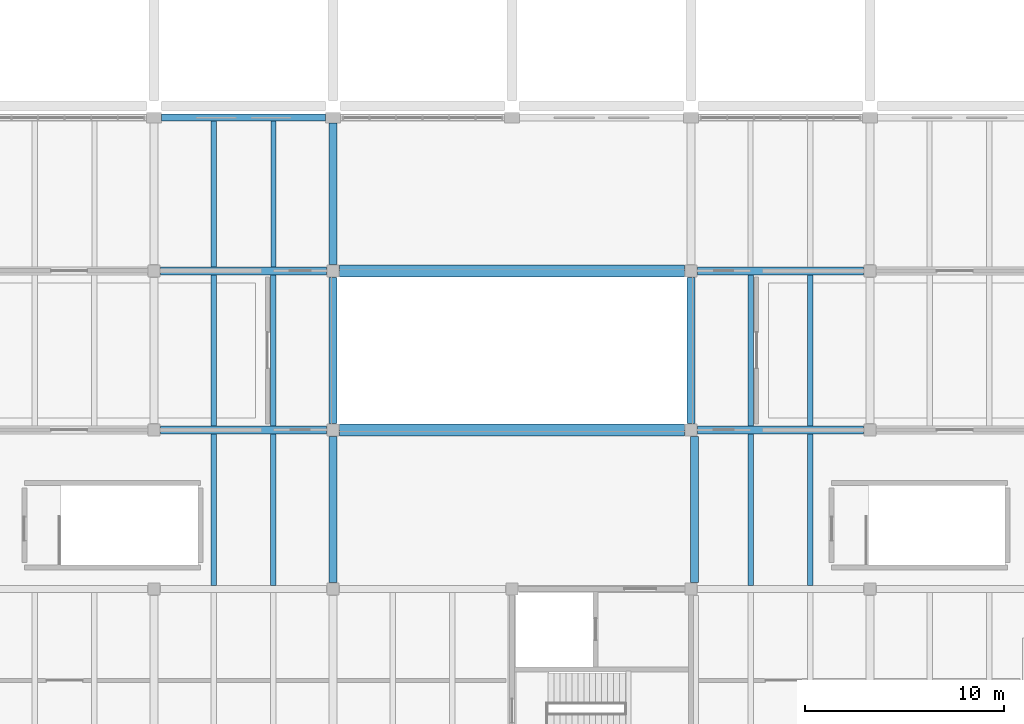
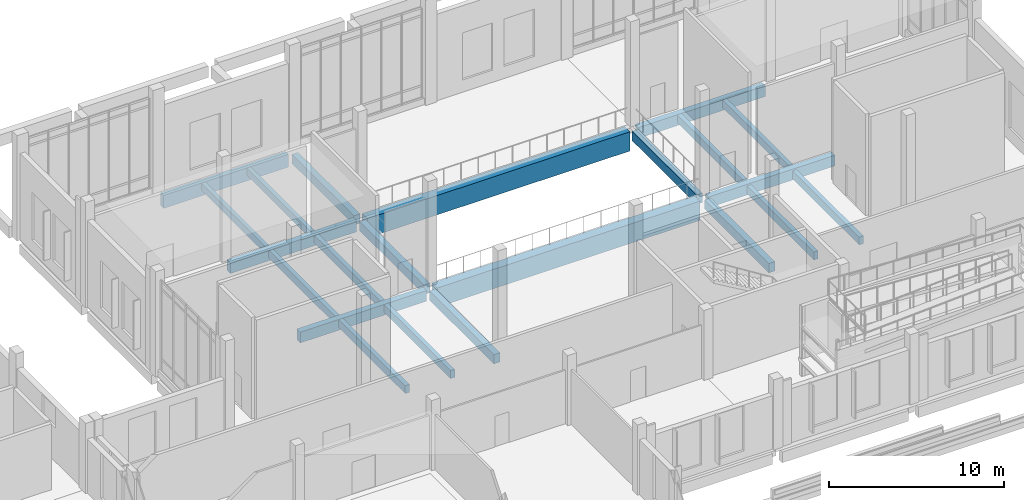
# One storey, part 18 of 110: 22 beams.
"""IFC4 building model written with IfcOpenShell, lengths in metres."""

from ifc_helpers import new_model, si_unit, direction, frame, origin, origin_2d, place, context, subcontext, project, spatial, rectangle, extrude, material, material_profile, profile_set, type_object, element, save


model = new_model("IFC4")

# Units and contexts
model_context = context("Model", 3, precision=1e-05, world=origin(), true_north=direction((0.0, 1.0)))
body_context = subcontext(model_context, "Body", "Model", "MODEL_VIEW")
ifc_project = project(units=[si_unit("LENGTHUNIT", "METRE"), si_unit("AREAUNIT", "SQUARE_METRE"), si_unit("VOLUMEUNIT", "CUBIC_METRE"), si_unit("PLANEANGLEUNIT", "RADIAN"), si_unit("MASSUNIT", "GRAM", prefix="KILO")], contexts=[model_context])

# Site, building, storey
site_placement = place(None, origin())
site = spatial("IfcSite", under=ifc_project, at=site_placement, CompositionType="ELEMENT")
building_placement = place(site_placement, origin())
building = spatial("IfcBuilding", under=site, at=building_placement, Name="Zacnel Wholesale Market", CompositionType="ELEMENT")
storey_placement = place(building_placement, frame((0.0, 0.0, 6.300048828125)))
storey = spatial("IfcBuildingStorey", under=building, at=storey_placement, Name="L02", CompositionType="ELEMENT", Elevation=6.300048828125)

# Beams
ifc_material_1 = material(Name="Precast concrete C45/55", Category="concrete")
ifc_material_profile_1 = material_profile(ifc_material_1, rectangle(XDim=0.280029296875, YDim=0.550048828125, at=origin_2d()), Name="DT RIB 280x550")
ifc_profile_set_1 = profile_set([ifc_material_profile_1], Name="Precast concrete C45/55")
beam_type_1 = type_object("IfcBeamType", Name="BM-DT550", PredefinedType="JOIST", material=ifc_profile_set_1)
for number, where, z_axis, x_axis, name in (
    (1, (93.0, 24.175048828125, -0.574951171875), (0.0, 1.0, 0.0), (-1.0, 0.0, 0.0), "Precast secondary joist L02-0095"),
    (2, (96.0, 24.175048828125, -0.574951171875), (0.0, 1.0, 0.0), (-1.0, 0.0, 0.0), "Precast secondary joist L02-0096"),
    (3, (120.0, 24.175048828125, -0.695068359375), (0.0, 1.0, 0.0), (-1.0, 0.0, 0.0), "Precast secondary joist L02-0097"),
    (4, (123.0, 24.175048828125, -0.695068359375), (0.0, 1.0, 0.0), (-1.0, 0.0, 0.0), "Precast secondary joist L02-0098"),
):
    element("IfcBeam", number, at=place(storey_placement, frame(where, z_axis=z_axis, x_axis=x_axis)), inside=storey, type_object=beam_type_1, Name=name, PredefinedType="JOIST", context=body_context, shape_type="SweptSolid", body=[
        extrude(rectangle(XDim=0.280029296875, YDim=0.550048828125, at=origin_2d()), origin(), (0.0, 0.0, 1.0), 7.625),
    ])
for number, where, z_axis, x_axis, name in (
    (5, (93.0, 32.199951171875, -0.574951171875), (0.0, 1.0, 0.0), (-1.0, 0.0, 0.0), "Precast secondary joist L02-0127"),
    (6, (96.0, 32.199951171875, -0.574951171875), (0.0, 1.0, 0.0), (-1.0, 0.0, 0.0), "Precast secondary joist L02-0128"),
    (7, (120.0, 32.199951171875, -0.574951171875), (0.0, 1.0, 0.0), (-1.0, 0.0, 0.0), "Precast secondary joist L02-0129"),
    (8, (123.0, 32.199951171875, -0.574951171875), (0.0, 1.0, 0.0), (-1.0, 0.0, 0.0), "Precast secondary joist L02-0130"),
):
    element("IfcBeam", number, at=place(storey_placement, frame(where, z_axis=z_axis, x_axis=x_axis)), inside=storey, type_object=beam_type_1, Name=name, PredefinedType="JOIST", context=body_context, shape_type="SweptSolid", body=[
        extrude(rectangle(XDim=0.280029296875, YDim=0.550048828125, at=origin_2d()), origin(), (0.0, 0.0, 1.0), 7.60009765625),
    ])
ifc_material_2 = material(Name="Precast concrete C45/55", Category="concrete")
ifc_material_profile_2 = material_profile(ifc_material_2, rectangle(XDim=0.60009765625, YDim=1.35009765625, at=origin_2d()), Name="PG 600x1350")
ifc_profile_set_2 = profile_set([ifc_material_profile_2], Name="Precast concrete C45/55")
beam_type_2 = type_object("IfcBeamType", Name="BM-PG1350", PredefinedType="T_BEAM", material=ifc_profile_set_2)
for number, where, z_axis, x_axis, name in (
    (9, (99.324951171875, 32.0, -0.97509765625), (1.0, 0.0, 0.0), (0.0, 1.0, 0.0), "Precast girder X-0083"),
    (10, (99.324951171875, 40.0, -0.97509765625), (1.0, 0.0, 0.0), (0.0, 1.0, 0.0), "Precast girder X-0104"),
):
    element("IfcBeam", number, at=place(storey_placement, frame(where, z_axis=z_axis, x_axis=x_axis)), inside=storey, type_object=beam_type_2, Name=name, PredefinedType="T_BEAM", context=body_context, shape_type="SweptSolid", body=[
        extrude(rectangle(XDim=0.60009765625, YDim=1.35009765625, at=origin_2d()), origin(), (0.0, 0.0, 1.0), 17.35009765625),
    ])
ifc_material_3 = material(Name="Precast concrete C45/55", Category="concrete")
ifc_material_profile_3 = material_profile(ifc_material_3, rectangle(XDim=0.39990234375, YDim=0.64990234375, at=origin_2d()), Name="PG 400x650")
ifc_profile_set_3 = profile_set([ifc_material_profile_3], Name="Precast concrete C45/55")
beam_type_3 = type_object("IfcBeamType", Name="BM-PG650", PredefinedType="BEAM", material=ifc_profile_set_3)
for number, where, z_axis, x_axis, name in (
    (11, (99.0, 24.324951171875, -0.625), (0.0, 1.0, 0.0), (-1.0, 0.0, 0.0), "Precast girder Y-0437"),
    (12, (99.0, 32.324951171875, -0.625), (0.0, 1.0, 0.0), (-1.0, 0.0, 0.0), "Precast girder Y-0438"),
):
    element("IfcBeam", number, at=place(storey_placement, frame(where, z_axis=z_axis, x_axis=x_axis)), inside=storey, type_object=beam_type_3, Name=name, PredefinedType="BEAM", context=body_context, shape_type="SweptSolid", body=[
        extrude(rectangle(XDim=0.39990234375, YDim=0.64990234375, at=origin_2d()), origin(), (0.0, 0.0, 1.0), 7.35009765625),
    ])
beam_1_placement = place(storey_placement, frame((99.0, 40.324951171875, -0.625), z_axis=(0.0, 1.0, 0.0), x_axis=(-1.0, 0.0, 0.0)))
element("IfcBeam", 13, at=beam_1_placement, inside=storey, type_object=beam_type_3, Name="Precast girder Y-0439", PredefinedType="BEAM", context=body_context, shape_type="SweptSolid", body=[
    extrude(rectangle(XDim=0.39990234375, YDim=0.64990234375, at=origin_2d()), origin(), (0.0, 0.0, 1.0), 7.10009765625),
])
for number, where, z_axis, x_axis, name in (
    (14, (117.179931640625, 24.324951171875, -0.625), (0.0, 1.0, 0.0), (-1.0, 0.0, 0.0), "Precast girder Y-0448"),
    (15, (117.0, 32.324951171875, -0.625), (0.0, 1.0, 0.0), (-1.0, 0.0, 0.0), "Precast girder Y-0449"),
):
    element("IfcBeam", number, at=place(storey_placement, frame(where, z_axis=z_axis, x_axis=x_axis)), inside=storey, type_object=beam_type_3, Name=name, PredefinedType="BEAM", context=body_context, shape_type="SweptSolid", body=[
        extrude(rectangle(XDim=0.39990234375, YDim=0.64990234375, at=origin_2d()), origin(), (0.0, 0.0, 1.0), 7.35009765625),
    ])
ifc_material_4 = material(Name="Precast concrete C45/55", Category="concrete")
ifc_material_profile_4 = material_profile(ifc_material_4, rectangle(XDim=0.39990234375, YDim=0.75, at=origin_2d()), Name="PG 400x750")
ifc_profile_set_4 = profile_set([ifc_material_profile_4], Name="Precast concrete C45/55")
beam_type_4 = type_object("IfcBeamType", Name="BM-PG750", PredefinedType="BEAM", material=ifc_profile_set_4)
for number, where, z_axis, x_axis, name in (
    (16, (90.324951171875, 32.0, -0.675048828125), (1.0, 0.0, 0.0), (0.0, 1.0, 0.0), "Precast girder X-0082"),
    (17, (117.324951171875, 32.0, -0.675048828125), (1.0, 0.0, 0.0), (0.0, 1.0, 0.0), "Precast girder X-0084"),
    (18, (90.324951171875, 40.0, -0.675048828125), (1.0, 0.0, 0.0), (0.0, 1.0, 0.0), "Precast girder X-0103"),
    (19, (117.324951171875, 40.0, -0.675048828125), (1.0, 0.0, 0.0), (0.0, 1.0, 0.0), "Precast girder X-0105"),
):
    element("IfcBeam", number, at=place(storey_placement, frame(where, z_axis=z_axis, x_axis=x_axis)), inside=storey, type_object=beam_type_4, Name=name, PredefinedType="BEAM", context=body_context, shape_type="SweptSolid", body=[
        extrude(rectangle(XDim=0.39990234375, YDim=0.75, at=origin_2d()), origin(), (0.0, 0.0, 1.0), 8.35009765625),
    ])
ifc_material_5 = material(Name="Precast concrete C45/55", Category="concrete")
ifc_material_profile_5 = material_profile(ifc_material_5, rectangle(XDim=0.260009765625, YDim=0.5, at=origin_2d()), Name="PJ 260x500")
ifc_profile_set_5 = profile_set([ifc_material_profile_5], Name="Precast concrete C45/55")
beam_type_5 = type_object("IfcBeamType", Name="BM-PJ500", PredefinedType="HOLLOWCORE", material=ifc_profile_set_5)
for number, where, z_axis, x_axis, name in (
    (20, (93.0, 40.199951171875, -0.550048828125), (0.0, 1.0, 0.0), (-1.0, 0.0, 0.0), "Precast secondary joist L02-0163"),
    (21, (96.0, 40.199951171875, -0.550048828125), (0.0, 1.0, 0.0), (-1.0, 0.0, 0.0), "Precast secondary joist L02-0164"),
):
    element("IfcBeam", number, at=place(storey_placement, frame(where, z_axis=z_axis, x_axis=x_axis)), inside=storey, type_object=beam_type_5, Name=name, PredefinedType="HOLLOWCORE", context=body_context, shape_type="SweptSolid", body=[
        extrude(rectangle(XDim=0.260009765625, YDim=0.5, at=origin_2d()), origin(), (0.0, 0.0, 1.0), 7.324951171875),
    ])
ifc_material_6 = material(Name="Precast concrete C45/55", Category="concrete")
ifc_material_profile_6 = material_profile(ifc_material_6, rectangle(XDim=0.35009765625, YDim=0.89990234375, at=origin_2d()), Name="SP 350x900")
ifc_profile_set_6 = profile_set([ifc_material_profile_6], Name="Precast concrete C45/55")
beam_type_6 = type_object("IfcBeamType", Name="BM-SP900", PredefinedType="SPANDREL", material=ifc_profile_set_6)
beam_2_placement = place(storey_placement, frame((90.375, 47.699951171875, -0.75), z_axis=(1.0, 0.0, 0.0), x_axis=(0.0, 1.0, 0.0)))
element("IfcBeam", 22, at=beam_2_placement, inside=storey, type_object=beam_type_6, Name="Precast girder X-0124", PredefinedType="SPANDREL", context=body_context, shape_type="SweptSolid", body=[
    extrude(rectangle(XDim=0.35009765625, YDim=0.89990234375, at=origin_2d()), origin(), (0.0, 0.0, 1.0), 8.25),
])

save(model, "model.ifc")
